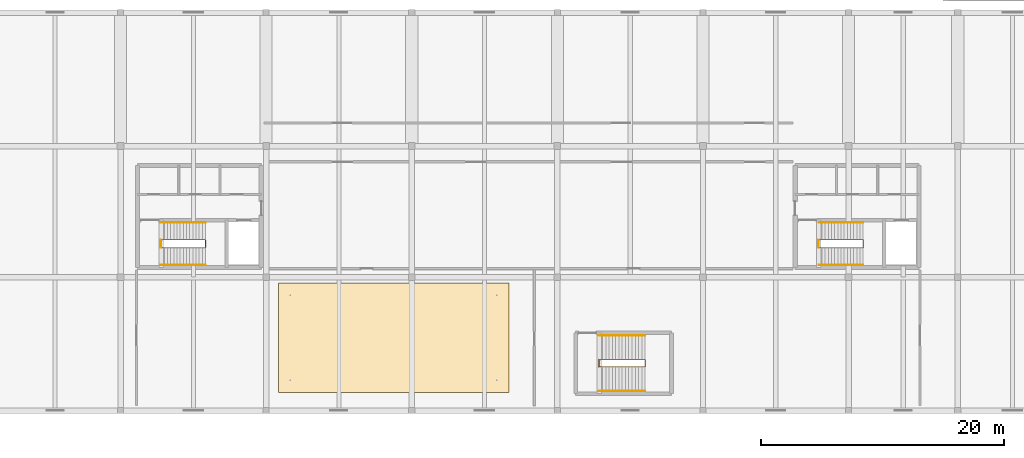
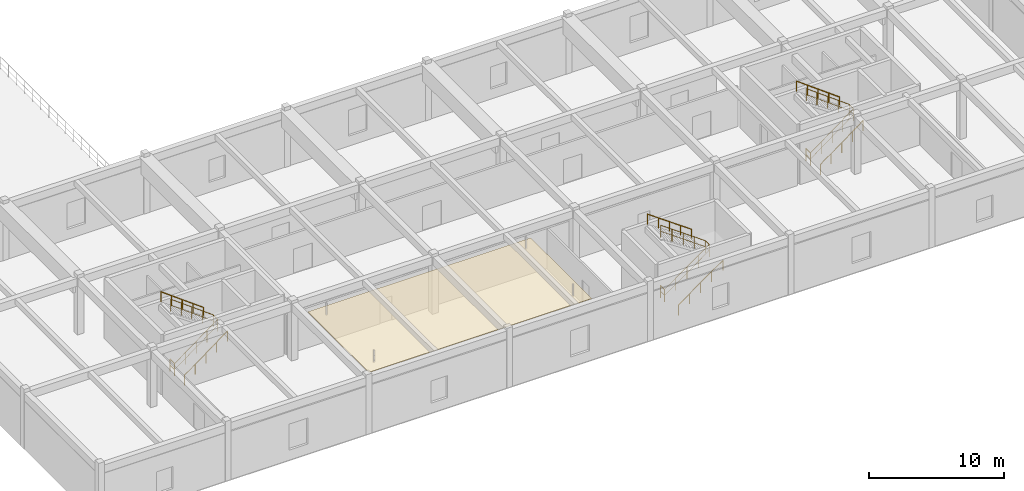
# One storey, part 96 of 97: 12 railings, 1 covering.
"""IFC4 building model written with IfcOpenShell, lengths in metres."""

from ifc_helpers import new_model, si_unit, derived_unit, direction, frame, origin, origin_2d, place, context, subcontext, project, spatial, polyline, circle, outline, extrude, material, layer, layer_set, type_object, element, save


model = new_model("IFC4")

# Units and contexts
model_context = context("Model", 3, precision=1e-05, world=origin(), true_north=direction((0.0, 1.0)))
body_context = subcontext(model_context, "Body", "Model", "MODEL_VIEW")
ifc_project = project(units=[si_unit("LENGTHUNIT", "METRE"), si_unit("AREAUNIT", "SQUARE_METRE"), si_unit("VOLUMEUNIT", "CUBIC_METRE"), si_unit("PLANEANGLEUNIT", "RADIAN"), si_unit("MASSUNIT", "GRAM", prefix="KILO"), derived_unit("THERMALTRANSMITTANCEUNIT", [(si_unit("POWERUNIT", "WATT"), 1), (si_unit("LENGTHUNIT", "METRE"), -2), (si_unit("THERMODYNAMICTEMPERATUREUNIT", "KELVIN"), -1)])], contexts=[model_context])

# Site, building, storey
site_placement = place(None, origin())
site = spatial("IfcSite", under=ifc_project, at=site_placement, CompositionType="ELEMENT")
building_placement = place(site_placement, origin())
building = spatial("IfcBuilding", under=site, at=building_placement, Name="Almenara Railside Exhibition Hall", CompositionType="ELEMENT")
storey_placement = place(building_placement, frame((0.0, 0.0, 10.800048828125)))
storey = spatial("IfcBuildingStorey", under=building, at=storey_placement, Name="L02", CompositionType="ELEMENT", Elevation=10.800048828125)

# Covering
ifc_material_1 = material(Name="Perforated iroko acoustic timber ceiling", Category="wood")
ifc_layer = layer(ifc_material_1, 0.0400390625, Name="Perforated iroko acoustic timber ceiling")
ifc_layer_set = layer_set([ifc_layer], Name="Perforated iroko acoustic timber ceiling")
covering_type = type_object("IfcCoveringType", Name="Acoustic Slatted Timber Ceiling 40mm", PredefinedType="CEILING", material=ifc_layer_set)
covering_placement = place(storey_placement, frame((0.0, 0.0, 4.10986328125)))
element("IfcCovering", 1, at=covering_placement, inside=storey, type_object=covering_type, Name="Acoustic timber ceiling 006", PredefinedType="CEILING", context=body_context, shape_type="SweptSolid", body=[
    extrude(outline(polyline([(139.0, 1.5), (158.0, 1.5), (158.0, 10.5), (139.0, 10.5), (139.0, 1.5)])), origin(), (0.0, 0.0, 1.0), 0.0400390625),
])

# Railings
ifc_material_2 = material(Name="Bronze-finished tubular steel handrail", Category="steel")
railing_type_1 = type_object("IfcRailingType", Name="Stair Pitch Handrail 920mm", PredefinedType="HANDRAIL", material=ifc_material_2)
railing_1_placement = place(storey_placement, frame((129.35009765625, 12.0, 0.0)))
element("IfcRailing", 2, at=railing_1_placement, inside=storey, type_object=railing_type_1, Name="HR-L02-0041", PredefinedType="HANDRAIL", context=body_context, shape_type="SweptSolid", body=[
    extrude(circle(Radius=0.02392578125, at=origin_2d()), frame((0.0, 0.0, 0.89599609375), z_axis=(0.803925720239, 0.0, 0.594729717046), x_axis=(0.0, 1.0, 0.0)), (0.0, 0.0, 1.0), 4.539794921875),
    extrude(circle(Radius=0.02099609375, at=origin_2d()), origin(), (0.0, 0.0, 1.0), 0.871826171875),
    extrude(circle(Radius=0.02099609375, at=origin_2d()), frame((0.912353515625, 0.0, 0.675048828125)), (0.0, 0.0, 1.0), 0.871826171875),
    extrude(circle(Radius=0.02099609375, at=origin_2d()), frame((1.82470703125, 0.0, 1.35009765625)), (0.0, 0.0, 1.0), 0.871826171875),
    extrude(circle(Radius=0.02099609375, at=origin_2d()), frame((2.7373046875, 0.0, 2.02490234375)), (0.0, 0.0, 1.0), 0.871826171875),
    extrude(circle(Radius=0.02099609375, at=origin_2d()), frame((3.649658203125, 0.0, 2.699951171875)), (0.0, 0.0, 1.0), 0.871826171875),
])
railing_2_placement = place(storey_placement, frame((132.999755859375, 15.5, 2.699951171875)))
element("IfcRailing", 3, at=railing_2_placement, inside=storey, type_object=railing_type_1, Name="HR-L02-0042", PredefinedType="HANDRAIL", context=body_context, shape_type="SweptSolid", body=[
    extrude(circle(Radius=0.02392578125, at=origin_2d()), frame((0.0, 0.0, 0.89599609375), z_axis=(-0.803925720239, 0.0, 0.594729717046), x_axis=(0.0, -1.0, 0.0)), (0.0, 0.0, 1.0), 4.539794921875),
    extrude(circle(Radius=0.02099609375, at=origin_2d()), origin(), (0.0, 0.0, 1.0), 0.871826171875),
    extrude(circle(Radius=0.02099609375, at=origin_2d()), frame((-0.912353515625, 0.0, 0.675048828125)), (0.0, 0.0, 1.0), 0.871826171875),
    extrude(circle(Radius=0.02099609375, at=origin_2d()), frame((-1.82470703125, 0.0, 1.35009765625)), (0.0, 0.0, 1.0), 0.871826171875),
    extrude(circle(Radius=0.02099609375, at=origin_2d()), frame((-2.7373046875, 0.0, 2.02490234375)), (0.0, 0.0, 1.0), 0.871826171875),
    extrude(circle(Radius=0.02099609375, at=origin_2d()), frame((-3.649658203125, 0.0, 2.699951171875)), (0.0, 0.0, 1.0), 0.871826171875),
])
railing_3_placement = place(storey_placement, frame((183.550048828125, 12.0, 0.0)))
element("IfcRailing", 4, at=railing_3_placement, inside=storey, type_object=railing_type_1, Name="HR-L02-0057", PredefinedType="HANDRAIL", context=body_context, shape_type="SweptSolid", body=[
    extrude(circle(Radius=0.02392578125, at=origin_2d()), frame((0.0, 0.0, 0.89599609375), z_axis=(0.803925720239, 0.0, 0.594729717046), x_axis=(0.0, 1.0, 0.0)), (0.0, 0.0, 1.0), 4.539794921875),
    extrude(circle(Radius=0.02099609375, at=origin_2d()), origin(), (0.0, 0.0, 1.0), 0.871826171875),
    extrude(circle(Radius=0.02099609375, at=origin_2d()), frame((0.912353515625, 0.0, 0.675048828125)), (0.0, 0.0, 1.0), 0.871826171875),
    extrude(circle(Radius=0.02099609375, at=origin_2d()), frame((1.82470703125, 0.0, 1.35009765625)), (0.0, 0.0, 1.0), 0.871826171875),
    extrude(circle(Radius=0.02099609375, at=origin_2d()), frame((2.7373046875, 0.0, 2.02490234375)), (0.0, 0.0, 1.0), 0.871826171875),
    extrude(circle(Radius=0.02099609375, at=origin_2d()), frame((3.649658203125, 0.0, 2.699951171875)), (0.0, 0.0, 1.0), 0.871826171875),
])
railing_4_placement = place(storey_placement, frame((187.19970703125, 15.5, 2.699951171875)))
element("IfcRailing", 5, at=railing_4_placement, inside=storey, type_object=railing_type_1, Name="HR-L02-0058", PredefinedType="HANDRAIL", context=body_context, shape_type="SweptSolid", body=[
    extrude(circle(Radius=0.02392578125, at=origin_2d()), frame((0.0, 0.0, 0.89599609375), z_axis=(-0.803925720239, 0.0, 0.594729717046), x_axis=(0.0, -1.0, 0.0)), (0.0, 0.0, 1.0), 4.539794921875),
    extrude(circle(Radius=0.02099609375, at=origin_2d()), origin(), (0.0, 0.0, 1.0), 0.871826171875),
    extrude(circle(Radius=0.02099609375, at=origin_2d()), frame((-0.912353515625, 0.0, 0.675048828125)), (0.0, 0.0, 1.0), 0.871826171875),
    extrude(circle(Radius=0.02099609375, at=origin_2d()), frame((-1.82470703125, 0.0, 1.35009765625)), (0.0, 0.0, 1.0), 0.871826171875),
    extrude(circle(Radius=0.02099609375, at=origin_2d()), frame((-2.7373046875, 0.0, 2.02490234375)), (0.0, 0.0, 1.0), 0.871826171875),
    extrude(circle(Radius=0.02099609375, at=origin_2d()), frame((-3.649658203125, 0.0, 2.699951171875)), (0.0, 0.0, 1.0), 0.871826171875),
])
railing_5_placement = place(storey_placement, frame((165.449951171875, 1.60009765625, 0.0)))
element("IfcRailing", 6, at=railing_5_placement, inside=storey, type_object=railing_type_1, Name="HR-L02-0121", PredefinedType="HANDRAIL", context=body_context, shape_type="SweptSolid", body=[
    extrude(circle(Radius=0.02392578125, at=origin_2d()), frame((0.0, 0.0, 0.89599609375), z_axis=(0.813740573448, 0.0, 0.581228250453), x_axis=(0.0, 1.0, 0.0)), (0.0, 0.0, 1.0), 4.645263671875),
    extrude(circle(Radius=0.02099609375, at=origin_2d()), origin(), (0.0, 0.0, 1.0), 0.871826171875),
    extrude(circle(Radius=0.02099609375, at=origin_2d()), frame((0.945068359375, 0.0, 0.675048828125)), (0.0, 0.0, 1.0), 0.871826171875),
    extrude(circle(Radius=0.02099609375, at=origin_2d()), frame((1.89013671875, 0.0, 1.35009765625)), (0.0, 0.0, 1.0), 0.871826171875),
    extrude(circle(Radius=0.02099609375, at=origin_2d()), frame((2.8349609375, 0.0, 2.02490234375)), (0.0, 0.0, 1.0), 0.871826171875),
    extrude(circle(Radius=0.02099609375, at=origin_2d()), frame((3.780029296875, 0.0, 2.699951171875)), (0.0, 0.0, 1.0), 0.871826171875),
])
railing_6_placement = place(storey_placement, frame((169.22998046875, 6.199951171875, 2.699951171875)))
element("IfcRailing", 7, at=railing_6_placement, inside=storey, type_object=railing_type_1, Name="HR-L02-0122", PredefinedType="HANDRAIL", context=body_context, shape_type="SweptSolid", body=[
    extrude(circle(Radius=0.02392578125, at=origin_2d()), frame((0.0, 0.0, 0.89599609375), z_axis=(-0.813740573448, 0.0, 0.581228250453), x_axis=(0.0, -1.0, 0.0)), (0.0, 0.0, 1.0), 4.645263671875),
    extrude(circle(Radius=0.02099609375, at=origin_2d()), origin(), (0.0, 0.0, 1.0), 0.871826171875),
    extrude(circle(Radius=0.02099609375, at=origin_2d()), frame((-0.945068359375, 0.0, 0.675048828125)), (0.0, 0.0, 1.0), 0.871826171875),
    extrude(circle(Radius=0.02099609375, at=origin_2d()), frame((-1.89013671875, 0.0, 1.35009765625)), (0.0, 0.0, 1.0), 0.871826171875),
    extrude(circle(Radius=0.02099609375, at=origin_2d()), frame((-2.8349609375, 0.0, 2.02490234375)), (0.0, 0.0, 1.0), 0.871826171875),
    extrude(circle(Radius=0.02099609375, at=origin_2d()), frame((-3.780029296875, 0.0, 2.699951171875)), (0.0, 0.0, 1.0), 0.871826171875),
])
ifc_material_3 = material(Name="Dark wrought-iron stair balustrade")
railing_type_2 = type_object("IfcRailingType", Name="Stair Well Guard Rail 1120mm", PredefinedType="BALUSTRADE", material=ifc_material_3)
railing_7_placement = place(storey_placement, frame((129.320068359375, 13.429931640625, 0.0)))
element("IfcRailing", 8, at=railing_7_placement, inside=storey, type_object=railing_type_2, Name="SG-L02-0040", PredefinedType="BALUSTRADE", context=body_context, shape_type="SweptSolid", body=[
    extrude(circle(Radius=0.02392578125, at=origin_2d()), frame((0.0, 0.0, 1.09619140625), z_axis=(0.0, 1.0, 0.0), x_axis=(-1.0, 0.0, 0.0)), (0.0, 0.0, 1.0), 0.64013671875),
    extrude(circle(Radius=0.01416015625, at=origin_2d()), frame((0.0, 0.0, 0.56005859375), z_axis=(0.0, 1.0, 0.0), x_axis=(-1.0, 0.0, 0.0)), (0.0, 0.0, 1.0), 0.64013671875),
    extrude(circle(Radius=0.02099609375, at=origin_2d()), origin(), (0.0, 0.0, 1.0), 1.072021484375),
    extrude(circle(Radius=0.02099609375, at=origin_2d()), frame((0.0, 0.64013671875, 0.0)), (0.0, 0.0, 1.0), 1.072021484375),
])
railing_8_placement = place(storey_placement, frame((129.35009765625, 13.429931640625, 0.0)))
element("IfcRailing", 9, at=railing_8_placement, inside=storey, type_object=railing_type_2, Name="SG-L02-0043", PredefinedType="BALUSTRADE", context=body_context, shape_type="SweptSolid", body=[
    extrude(circle(Radius=0.02392578125, at=origin_2d()), frame((0.0, 0.0, 1.09619140625), z_axis=(0.803925720239, 0.0, 0.594729717046), x_axis=(0.0, 1.0, 0.0)), (0.0, 0.0, 1.0), 4.539794921875),
    extrude(circle(Radius=0.01416015625, at=origin_2d()), frame((0.0, 0.0, 0.56005859375), z_axis=(0.803925720239, 0.0, 0.594729717046), x_axis=(0.0, 1.0, 0.0)), (0.0, 0.0, 1.0), 4.539794921875),
    extrude(circle(Radius=0.02392578125, at=origin_2d()), frame((3.649658203125, 0.0, 3.7958984375), z_axis=(0.0, 1.0, 0.0), x_axis=(-1.0, 0.0, 0.0)), (0.0, 0.0, 1.0), 0.64013671875),
    extrude(circle(Radius=0.01416015625, at=origin_2d()), frame((3.649658203125, 0.0, 3.260009765625), z_axis=(0.0, 1.0, 0.0), x_axis=(-1.0, 0.0, 0.0)), (0.0, 0.0, 1.0), 0.64013671875),
    extrude(circle(Radius=0.02392578125, at=origin_2d()), frame((3.649658203125, 0.64013671875, 3.7958984375), z_axis=(-0.803925720239, 0.0, 0.594729717046), x_axis=(0.0, -1.0, 0.0)), (0.0, 0.0, 1.0), 4.539794921875),
    extrude(circle(Radius=0.01416015625, at=origin_2d()), frame((3.649658203125, 0.64013671875, 3.260009765625), z_axis=(-0.803925720239, 0.0, 0.594729717046), x_axis=(0.0, -1.0, 0.0)), (0.0, 0.0, 1.0), 4.539794921875),
    extrude(circle(Radius=0.02099609375, at=origin_2d()), origin(), (0.0, 0.0, 1.0), 1.072021484375),
    extrude(circle(Radius=0.02099609375, at=origin_2d()), frame((0.912353515625, 0.0, 0.675048828125)), (0.0, 0.0, 1.0), 1.072021484375),
    extrude(circle(Radius=0.02099609375, at=origin_2d()), frame((1.82470703125, 0.0, 1.35009765625)), (0.0, 0.0, 1.0), 1.072021484375),
    extrude(circle(Radius=0.02099609375, at=origin_2d()), frame((2.7373046875, 0.0, 2.02490234375)), (0.0, 0.0, 1.0), 1.072021484375),
    extrude(circle(Radius=0.02099609375, at=origin_2d()), frame((3.649658203125, 0.0, 2.699951171875)), (0.0, 0.0, 1.0), 1.072021484375),
    extrude(circle(Radius=0.02099609375, at=origin_2d()), frame((3.649658203125, 0.64013671875, 2.699951171875)), (0.0, 0.0, 1.0), 1.072021484375),
    extrude(circle(Radius=0.02099609375, at=origin_2d()), frame((2.7373046875, 0.64013671875, 3.375)), (0.0, 0.0, 1.0), 1.072021484375),
    extrude(circle(Radius=0.02099609375, at=origin_2d()), frame((1.82470703125, 0.64013671875, 4.0498046875)), (0.0, 0.0, 1.0), 1.072021484375),
    extrude(circle(Radius=0.02099609375, at=origin_2d()), frame((0.912353515625, 0.64013671875, 4.724853515625)), (0.0, 0.0, 1.0), 1.072021484375),
    extrude(circle(Radius=0.02099609375, at=origin_2d()), frame((0.0, 0.64013671875, 5.39990234375)), (0.0, 0.0, 1.0), 1.072021484375),
])
railing_9_placement = place(storey_placement, frame((183.52001953125, 13.429931640625, 0.0)))
element("IfcRailing", 10, at=railing_9_placement, inside=storey, type_object=railing_type_2, Name="SG-L02-0056", PredefinedType="BALUSTRADE", context=body_context, shape_type="SweptSolid", body=[
    extrude(circle(Radius=0.02392578125, at=origin_2d()), frame((0.0, 0.0, 1.09619140625), z_axis=(0.0, 1.0, 0.0), x_axis=(-1.0, 0.0, 0.0)), (0.0, 0.0, 1.0), 0.64013671875),
    extrude(circle(Radius=0.01416015625, at=origin_2d()), frame((0.0, 0.0, 0.56005859375), z_axis=(0.0, 1.0, 0.0), x_axis=(-1.0, 0.0, 0.0)), (0.0, 0.0, 1.0), 0.64013671875),
    extrude(circle(Radius=0.02099609375, at=origin_2d()), origin(), (0.0, 0.0, 1.0), 1.072021484375),
    extrude(circle(Radius=0.02099609375, at=origin_2d()), frame((0.0, 0.64013671875, 0.0)), (0.0, 0.0, 1.0), 1.072021484375),
])
railing_10_placement = place(storey_placement, frame((183.550048828125, 13.429931640625, 0.0)))
element("IfcRailing", 11, at=railing_10_placement, inside=storey, type_object=railing_type_2, Name="SG-L02-0059", PredefinedType="BALUSTRADE", context=body_context, shape_type="SweptSolid", body=[
    extrude(circle(Radius=0.02392578125, at=origin_2d()), frame((0.0, 0.0, 1.09619140625), z_axis=(0.803925720239, 0.0, 0.594729717046), x_axis=(0.0, 1.0, 0.0)), (0.0, 0.0, 1.0), 4.539794921875),
    extrude(circle(Radius=0.01416015625, at=origin_2d()), frame((0.0, 0.0, 0.56005859375), z_axis=(0.803925720239, 0.0, 0.594729717046), x_axis=(0.0, 1.0, 0.0)), (0.0, 0.0, 1.0), 4.539794921875),
    extrude(circle(Radius=0.02392578125, at=origin_2d()), frame((3.649658203125, 0.0, 3.7958984375), z_axis=(0.0, 1.0, 0.0), x_axis=(-1.0, 0.0, 0.0)), (0.0, 0.0, 1.0), 0.64013671875),
    extrude(circle(Radius=0.01416015625, at=origin_2d()), frame((3.649658203125, 0.0, 3.260009765625), z_axis=(0.0, 1.0, 0.0), x_axis=(-1.0, 0.0, 0.0)), (0.0, 0.0, 1.0), 0.64013671875),
    extrude(circle(Radius=0.02392578125, at=origin_2d()), frame((3.649658203125, 0.64013671875, 3.7958984375), z_axis=(-0.803925720239, 0.0, 0.594729717046), x_axis=(0.0, -1.0, 0.0)), (0.0, 0.0, 1.0), 4.539794921875),
    extrude(circle(Radius=0.01416015625, at=origin_2d()), frame((3.649658203125, 0.64013671875, 3.260009765625), z_axis=(-0.803925720239, 0.0, 0.594729717046), x_axis=(0.0, -1.0, 0.0)), (0.0, 0.0, 1.0), 4.539794921875),
    extrude(circle(Radius=0.02099609375, at=origin_2d()), origin(), (0.0, 0.0, 1.0), 1.072021484375),
    extrude(circle(Radius=0.02099609375, at=origin_2d()), frame((0.912353515625, 0.0, 0.675048828125)), (0.0, 0.0, 1.0), 1.072021484375),
    extrude(circle(Radius=0.02099609375, at=origin_2d()), frame((1.82470703125, 0.0, 1.35009765625)), (0.0, 0.0, 1.0), 1.072021484375),
    extrude(circle(Radius=0.02099609375, at=origin_2d()), frame((2.7373046875, 0.0, 2.02490234375)), (0.0, 0.0, 1.0), 1.072021484375),
    extrude(circle(Radius=0.02099609375, at=origin_2d()), frame((3.649658203125, 0.0, 2.699951171875)), (0.0, 0.0, 1.0), 1.072021484375),
    extrude(circle(Radius=0.02099609375, at=origin_2d()), frame((3.649658203125, 0.64013671875, 2.699951171875)), (0.0, 0.0, 1.0), 1.072021484375),
    extrude(circle(Radius=0.02099609375, at=origin_2d()), frame((2.7373046875, 0.64013671875, 3.375)), (0.0, 0.0, 1.0), 1.072021484375),
    extrude(circle(Radius=0.02099609375, at=origin_2d()), frame((1.82470703125, 0.64013671875, 4.0498046875)), (0.0, 0.0, 1.0), 1.072021484375),
    extrude(circle(Radius=0.02099609375, at=origin_2d()), frame((0.912353515625, 0.64013671875, 4.724853515625)), (0.0, 0.0, 1.0), 1.072021484375),
    extrude(circle(Radius=0.02099609375, at=origin_2d()), frame((0.0, 0.64013671875, 5.39990234375)), (0.0, 0.0, 1.0), 1.072021484375),
])
railing_11_placement = place(storey_placement, frame((165.419921875, 3.610107421875, 0.0)))
element("IfcRailing", 12, at=railing_11_placement, inside=storey, type_object=railing_type_2, Name="SG-L02-0120", PredefinedType="BALUSTRADE", context=body_context, shape_type="SweptSolid", body=[
    extrude(circle(Radius=0.02392578125, at=origin_2d()), frame((0.0, 0.0, 1.09619140625), z_axis=(0.0, 1.0, 0.0), x_axis=(-1.0, 0.0, 0.0)), (0.0, 0.0, 1.0), 0.579833984375),
    extrude(circle(Radius=0.01416015625, at=origin_2d()), frame((0.0, 0.0, 0.56005859375), z_axis=(0.0, 1.0, 0.0), x_axis=(-1.0, 0.0, 0.0)), (0.0, 0.0, 1.0), 0.579833984375),
    extrude(circle(Radius=0.02099609375, at=origin_2d()), origin(), (0.0, 0.0, 1.0), 1.072021484375),
    extrude(circle(Radius=0.02099609375, at=origin_2d()), frame((0.0, 0.579833984375, 0.0)), (0.0, 0.0, 1.0), 1.072021484375),
])
railing_12_placement = place(storey_placement, frame((165.449951171875, 3.610107421875, 0.0)))
element("IfcRailing", 13, at=railing_12_placement, inside=storey, type_object=railing_type_2, Name="SG-L02-0123", PredefinedType="BALUSTRADE", context=body_context, shape_type="SweptSolid", body=[
    extrude(circle(Radius=0.02392578125, at=origin_2d()), frame((0.0, 0.0, 1.09619140625), z_axis=(0.813740573448, 0.0, 0.581228250453), x_axis=(0.0, 1.0, 0.0)), (0.0, 0.0, 1.0), 4.645263671875),
    extrude(circle(Radius=0.01416015625, at=origin_2d()), frame((0.0, 0.0, 0.56005859375), z_axis=(0.813740573448, 0.0, 0.581228250453), x_axis=(0.0, 1.0, 0.0)), (0.0, 0.0, 1.0), 4.645263671875),
    extrude(circle(Radius=0.02392578125, at=origin_2d()), frame((3.780029296875, 0.0, 3.7958984375), z_axis=(0.0, 1.0, 0.0), x_axis=(-1.0, 0.0, 0.0)), (0.0, 0.0, 1.0), 0.579833984375),
    extrude(circle(Radius=0.01416015625, at=origin_2d()), frame((3.780029296875, 0.0, 3.260009765625), z_axis=(0.0, 1.0, 0.0), x_axis=(-1.0, 0.0, 0.0)), (0.0, 0.0, 1.0), 0.579833984375),
    extrude(circle(Radius=0.02392578125, at=origin_2d()), frame((3.780029296875, 0.579833984375, 3.7958984375), z_axis=(-0.813740573448, 0.0, 0.581228250453), x_axis=(0.0, -1.0, 0.0)), (0.0, 0.0, 1.0), 4.645263671875),
    extrude(circle(Radius=0.01416015625, at=origin_2d()), frame((3.780029296875, 0.579833984375, 3.260009765625), z_axis=(-0.813740573448, 0.0, 0.581228250453), x_axis=(0.0, -1.0, 0.0)), (0.0, 0.0, 1.0), 4.645263671875),
    extrude(circle(Radius=0.02099609375, at=origin_2d()), origin(), (0.0, 0.0, 1.0), 1.072021484375),
    extrude(circle(Radius=0.02099609375, at=origin_2d()), frame((0.945068359375, 0.0, 0.675048828125)), (0.0, 0.0, 1.0), 1.072021484375),
    extrude(circle(Radius=0.02099609375, at=origin_2d()), frame((1.89013671875, 0.0, 1.35009765625)), (0.0, 0.0, 1.0), 1.072021484375),
    extrude(circle(Radius=0.02099609375, at=origin_2d()), frame((2.8349609375, 0.0, 2.02490234375)), (0.0, 0.0, 1.0), 1.072021484375),
    extrude(circle(Radius=0.02099609375, at=origin_2d()), frame((3.780029296875, 0.0, 2.699951171875)), (0.0, 0.0, 1.0), 1.072021484375),
    extrude(circle(Radius=0.02099609375, at=origin_2d()), frame((3.780029296875, 0.579833984375, 2.699951171875)), (0.0, 0.0, 1.0), 1.072021484375),
    extrude(circle(Radius=0.02099609375, at=origin_2d()), frame((2.8349609375, 0.579833984375, 3.375)), (0.0, 0.0, 1.0), 1.072021484375),
    extrude(circle(Radius=0.02099609375, at=origin_2d()), frame((1.89013671875, 0.579833984375, 4.0498046875)), (0.0, 0.0, 1.0), 1.072021484375),
    extrude(circle(Radius=0.02099609375, at=origin_2d()), frame((0.945068359375, 0.579833984375, 4.724853515625)), (0.0, 0.0, 1.0), 1.072021484375),
    extrude(circle(Radius=0.02099609375, at=origin_2d()), frame((0.0, 0.579833984375, 5.39990234375)), (0.0, 0.0, 1.0), 1.072021484375),
])

save(model, "model.ifc")
